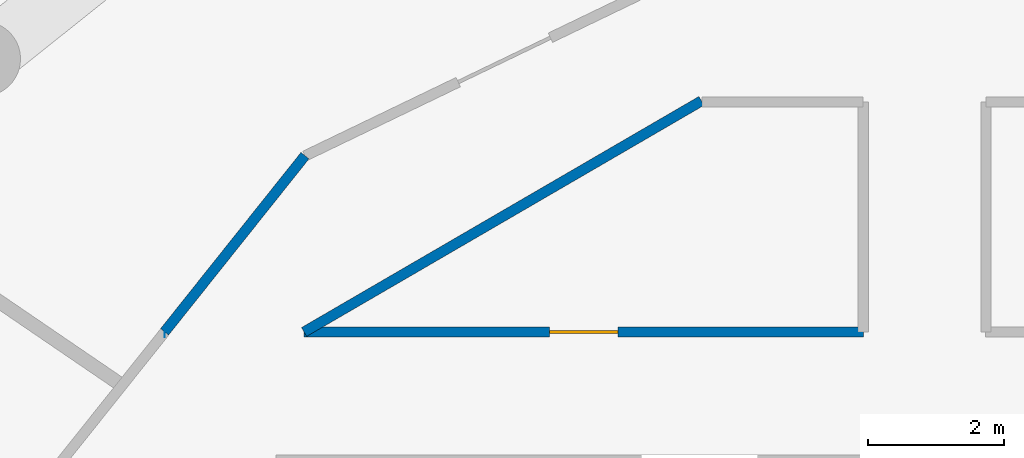
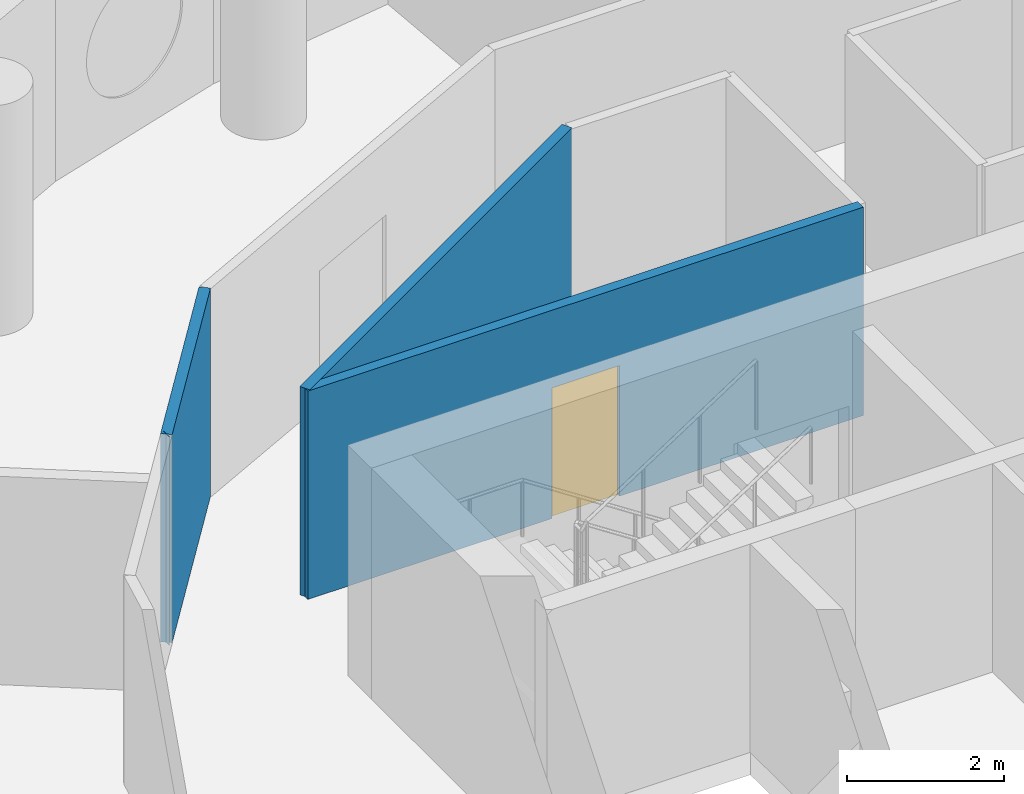
# One storey, part 7 of 13: 4 walls, 1 door, 1 opening.
"""IFC4 building model written with IfcOpenShell, lengths in metres."""

from ifc_helpers import new_model, si_unit, direction, frame, frame_2d, origin, place, context, subcontext, project, spatial, rectangle, extrude, material, layer, layer_set, type_object, element, fill, save


model = new_model("IFC4")

# Units and contexts
model_context = context("Model", 3, precision=1e-05, world=origin(), true_north=direction((0.0, 1.0)))
body_context = subcontext(model_context, "Body", "Model", "MODEL_VIEW")
ifc_project = project(units=[si_unit("LENGTHUNIT", "METRE"), si_unit("AREAUNIT", "SQUARE_METRE"), si_unit("VOLUMEUNIT", "CUBIC_METRE"), si_unit("PLANEANGLEUNIT", "RADIAN"), si_unit("MASSUNIT", "GRAM", prefix="KILO")], contexts=[model_context])

# Site, building, storey
site_placement = place(None, origin())
site = spatial("IfcSite", under=ifc_project, at=site_placement, CompositionType="ELEMENT")
building_placement = place(site_placement, origin())
building = spatial("IfcBuilding", under=site, at=building_placement, Name="Tracery Tower", CompositionType="ELEMENT")
storey_placement = place(building_placement, frame((0.0, 0.0, 259.800048828125)))
storey = spatial("IfcBuildingStorey", under=building, at=storey_placement, Name="L67", CompositionType="ELEMENT", Elevation=259.800048828125)

# Wall
ifc_material_1 = material(Name="Plasterboard on steel studs", Category="steel")
ifc_layer = layer(ifc_material_1, 0.14990234375)
ifc_layer_set = layer_set([ifc_layer], Name="Partition 150 corridor wall")
wall_type = type_object("IfcWallType", Name="Partition 150 corridor wall", PredefinedType="PARTITIONING", material=ifc_layer_set)
wall_1_placement = place(storey_placement, frame((-9.092041015625, 8.800048828125, 0.0), z_axis=(0.0, 0.0, 1.0), x_axis=(0.864470922103, 0.502682827277, 0.0)))
element("IfcWall", 1, at=wall_1_placement, inside=storey, type_object=wall_type, Name="Corridor wall RC3-001", PredefinedType="PARTITIONING", context=body_context, shape_type="SweptSolid", body=[
    extrude(rectangle(XDim=6.7353515625, YDim=0.14990234375, at=frame_2d((3.36767578125, 0.0))), origin(), (0.0, 0.0, 1.0), 3.25),
])

# Wall, opening, door
wall_2_placement = place(storey_placement, frame((-9.092041015625, 8.800048828125, 0.0), z_axis=(0.0, 0.0, 1.0), x_axis=(1.0, 0.0, 0.0)))
wall_2 = element("IfcWall", 2, at=wall_2_placement, inside=storey, type_object=wall_type, Name="Corridor wall RC3-002", PredefinedType="PARTITIONING", context=body_context, shape_type="SweptSolid", body=[
    extrude(rectangle(XDim=8.196044921875, YDim=0.14990234375, at=frame_2d((4.09814453125, 0.0))), origin(), (0.0, 0.0, 1.0), 3.25),
])
opening_placement = place(wall_2_placement, frame((3.597900390625, 0.0, 0.0)))
opening = element("IfcOpeningElement", 3, at=opening_placement, cuts=wall_2, Name="Opening RC3-01", PredefinedType="OPENING", context=body_context, shape_type="SweptSolid", body=[
    extrude(rectangle(XDim=1.0, YDim=2.0400390625, at=frame_2d((0.5, 1.02001953125))), frame((0.0, 0.074951171875, 0.0), z_axis=(0.0, -1.0, 0.0), x_axis=(1.0, 0.0, 0.0)), (0.0, 0.0, 1.0), 0.14990234375),
])
ifc_material_2 = material(Name="Timber door leaf", Category="wood")
door_type = type_object("IfcDoorType", Name="Door communal room 1000", OperationType="NOTDEFINED", PredefinedType="DOOR", material=ifc_material_2)
door_placement = place(opening_placement, origin())
door = element("IfcDoor", 4, at=door_placement, inside=storey, type_object=door_type, Name="Communal room door RC3-01", OperationType="SINGLE_SWING_RIGHT", OverallHeight=2.0400390625, OverallWidth=1.0, PredefinedType="DOOR", context=body_context, shape_type="SweptSolid", body=[
    extrude(rectangle(XDim=1.0, YDim=2.0400390625, at=frame_2d((0.5, 1.02001953125))), frame((0.0, 0.02490234375, 0.0), z_axis=(0.0, -1.0, 0.0), x_axis=(1.0, 0.0, 0.0)), (0.0, 0.0, 1.0), 0.050048828125),
])
fill(opening, door)

# Walls
wall_3_placement = place(storey_placement, frame((-11.134033203125, 8.800048828125, 0.0), z_axis=(0.0, 0.0, 1.0), x_axis=(-1.0, 0.0, 0.0)))
element("IfcWall", 5, at=wall_3_placement, inside=storey, type_object=wall_type, Name="Corridor wall RC3-009", PredefinedType="PARTITIONING", context=body_context, shape_type="SweptSolid", body=[
    extrude(rectangle(XDim=0.0029296875, YDim=0.14990234375, at=frame_2d((0.00146484375, 0.0))), origin(), (0.0, 0.0, 1.0), 3.25),
])
wall_4_placement = place(storey_placement, frame((-11.135986328125, 8.802001953125, 0.0), z_axis=(0.0, 0.0, 1.0), x_axis=(0.623151397235, 0.782101231379, 0.0)))
element("IfcWall", 6, at=wall_4_placement, inside=storey, type_object=wall_type, Name="Corridor wall RC3-010", PredefinedType="PARTITIONING", context=body_context, shape_type="SweptSolid", body=[
    extrude(rectangle(XDim=3.30078125, YDim=0.14990234375, at=frame_2d((1.650390625, 0.0))), origin(), (0.0, 0.0, 1.0), 3.25),
])

save(model, "model.ifc")
